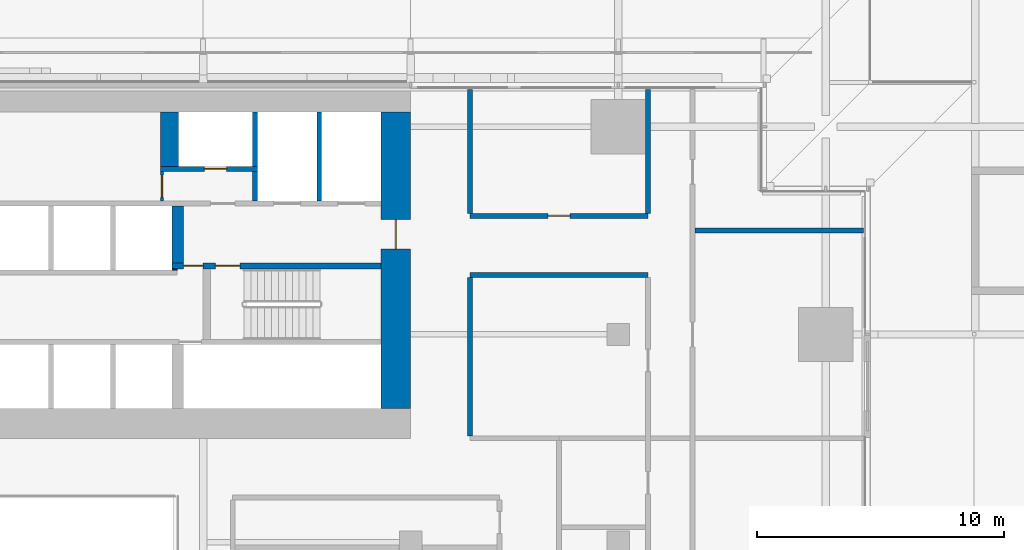
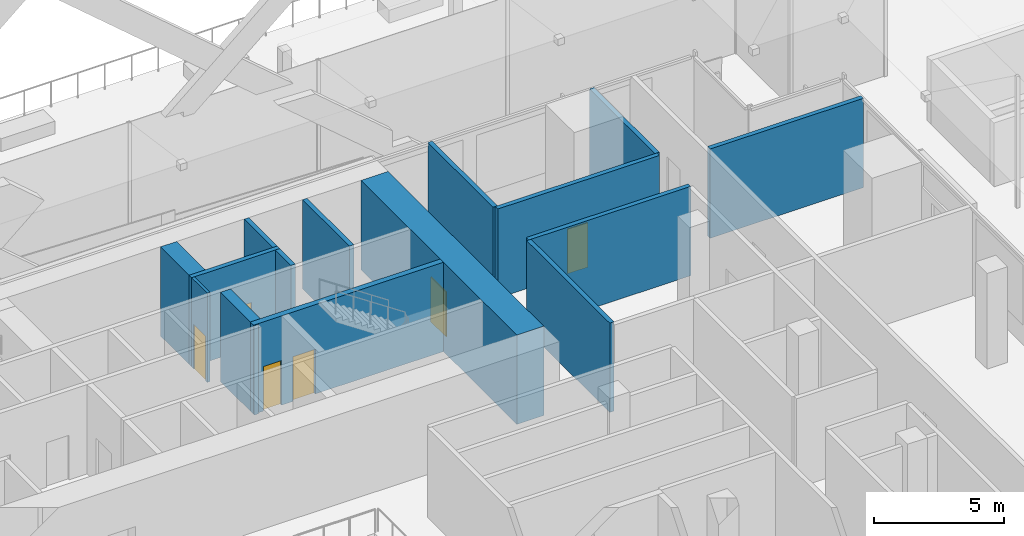
# One storey, part 28 of 60: 16 walls, 6 doors, 6 openings.
"""IFC4 building model written with IfcOpenShell, lengths in metres."""

from ifc_helpers import new_model, si_unit, direction, frame, frame_2d, origin, place, context, subcontext, project, spatial, rectangle, extrude, material, layer, layer_set, type_object, element, fill, save


model = new_model("IFC4")

# Units and contexts
model_context = context("Model", 3, precision=1e-05, world=origin(), true_north=direction((0.0, 1.0)))
body_context = subcontext(model_context, "Body", "Model", "MODEL_VIEW")
ifc_project = project(units=[si_unit("LENGTHUNIT", "METRE"), si_unit("AREAUNIT", "SQUARE_METRE"), si_unit("VOLUMEUNIT", "CUBIC_METRE"), si_unit("PLANEANGLEUNIT", "RADIAN"), si_unit("MASSUNIT", "GRAM", prefix="KILO")], contexts=[model_context])

# Site, building, storey
site_placement = place(None, origin())
site = spatial("IfcSite", under=ifc_project, at=site_placement, CompositionType="ELEMENT")
building_placement = place(site_placement, origin())
building = spatial("IfcBuilding", under=site, at=building_placement, Name="Saffron Gate Tower", CompositionType="ELEMENT")
storey_placement = place(building_placement, frame((0.0, 0.0, 19.199951171875)))
storey = spatial("IfcBuildingStorey", under=building, at=storey_placement, Name="L03", CompositionType="ELEMENT", Elevation=19.199951171875)

# Wall, opening, door
ifc_material_1 = material(Name="Concrete C70", Category="concrete")
ifc_layer_1 = layer(ifc_material_1, 1.199951171875)
ifc_layer_set_1 = layer_set([ifc_layer_1], Name="CW1 RC core wall 1200 C70")
wall_type_1 = type_object("IfcWallType", Name="CW1 RC core wall 1200 C70", PredefinedType="SOLIDWALL", material=ifc_layer_set_1)
wall_1_placement = place(storey_placement, frame((108.0, 62.39990234375, 0.0), z_axis=(0.0, 0.0, 1.0), x_axis=(0.0, 1.0, 0.0)))
wall_1 = element("IfcWall", 1, at=wall_1_placement, inside=storey, type_object=wall_type_1, Name="Wall CW1-L03-4", PredefinedType="SOLIDWALL", context=body_context, shape_type="SweptSolid", body=[
    extrude(rectangle(XDim=12.0, YDim=1.199951171875, at=frame_2d((6.0, 0.0))), origin(), (0.0, 0.0, 1.0), 4.199951171875),
])
opening_1_placement = place(wall_1_placement, frame((6.449951171875, 0.0, 0.0)))
opening_1 = element("IfcOpeningElement", 2, at=opening_1_placement, cuts=wall_1, Name="Opening CR-08", PredefinedType="OPENING", context=body_context, shape_type="SweptSolid", body=[
    extrude(rectangle(XDim=1.199951171875, YDim=2.10009765625, at=frame_2d((0.60009765625, 1.050048828125))), frame((0.0, 0.60986328125, 0.0), z_axis=(0.0, -1.0, 0.0), x_axis=(1.0, 0.0, 0.0)), (0.0, 0.0, 1.0), 1.219970703125),
])
ifc_material_2 = material(Name="Steel fire door set", Category="steel")
door_type_1 = type_object("IfcDoorType", Name="CD7 Core entrance door 1200x2100 EI 120", OperationType="NOTDEFINED", PredefinedType="DOOR", material=ifc_material_2)
door_1_placement = place(opening_1_placement, origin())
door_1 = element("IfcDoor", 3, at=door_1_placement, inside=storey, type_object=door_type_1, Name="DOOR CR-08", OperationType="SINGLE_SWING_RIGHT", OverallHeight=2.10009765625, OverallWidth=1.199951171875, PredefinedType="DOOR", context=body_context, shape_type="SweptSolid", body=[
    extrude(rectangle(XDim=1.199951171875, YDim=2.10009765625, at=frame_2d((0.60009765625, 1.050048828125))), frame((0.0, 0.02490234375, 0.0), z_axis=(0.0, -1.0, 0.0), x_axis=(1.0, 0.0, 0.0)), (0.0, 0.0, 1.0), 0.050048828125),
])
fill(opening_1, door_1)

# Wall
ifc_layer_2 = layer(ifc_material_1, 0.719970703125)
ifc_layer_set_2 = layer_set([ifc_layer_2], Name="CW11 RC core wall 720 C70")
wall_type_2 = type_object("IfcWallType", Name="CW11 RC core wall 720 C70", PredefinedType="SOLIDWALL", material=ifc_layer_set_2)
wall_2_placement = place(storey_placement, frame((98.840087890625, 72.199951171875, 0.0), z_axis=(0.0, 0.0, 1.0), x_axis=(0.0, 1.0, 0.0)))
element("IfcWall", 4, at=wall_2_placement, inside=storey, type_object=wall_type_2, Name="Wall CW11-L03-48", PredefinedType="SOLIDWALL", context=body_context, shape_type="SweptSolid", body=[
    extrude(rectangle(XDim=2.199951171875, YDim=0.719970703125, at=frame_2d((1.10009765625, 0.0))), origin(), (0.0, 0.0, 1.0), 4.199951171875),
])

# Wall, openings, doors
ifc_layer_3 = layer(ifc_material_1, 0.25)
ifc_layer_set_3 = layer_set([ifc_layer_3], Name="CW2 RC core wall 250 C70")
wall_type_3 = type_object("IfcWallType", Name="CW2 RC core wall 250 C70", PredefinedType="SOLIDWALL", material=ifc_layer_set_3)
wall_3_placement = place(storey_placement, frame((98.949951171875, 68.175048828125, 0.0), z_axis=(0.0, 0.0, 1.0), x_axis=(1.0, 0.0, 0.0)))
wall_3 = element("IfcWall", 5, at=wall_3_placement, inside=storey, type_object=wall_type_3, Name="Wall CW2-L03-31", PredefinedType="SOLIDWALL", context=body_context, shape_type="SweptSolid", body=[
    extrude(rectangle(XDim=8.449951171875, YDim=0.25, at=frame_2d((4.22509765625, 0.0))), origin(), (0.0, 0.0, 1.0), 4.199951171875),
])
opening_2_placement = place(wall_3_placement, frame((0.449951171875, 0.0, 0.0)))
opening_2 = element("IfcOpeningElement", 6, at=opening_2_placement, cuts=wall_3, Name="Opening CR-05", PredefinedType="OPENING", context=body_context, shape_type="SweptSolid", body=[
    extrude(rectangle(XDim=0.800048828125, YDim=2.10009765625, at=frame_2d((0.39990234375, 1.050048828125))), frame((0.0, 0.135009765625, 0.0), z_axis=(0.0, -1.0, 0.0), x_axis=(1.0, 0.0, 0.0)), (0.0, 0.0, 1.0), 0.27001953125),
])
opening_3_placement = place(wall_3_placement, frame((1.75, 0.0, 0.0)))
opening_3 = element("IfcOpeningElement", 7, at=opening_3_placement, cuts=wall_3, Name="Opening CR-16", PredefinedType="OPENING", context=body_context, shape_type="SweptSolid", body=[
    extrude(rectangle(XDim=1.0, YDim=2.10009765625, at=frame_2d((0.5, 1.050048828125))), frame((0.0, 0.135009765625, 0.0), z_axis=(0.0, -1.0, 0.0), x_axis=(1.0, 0.0, 0.0)), (0.0, 0.0, 1.0), 0.27001953125),
])
door_type_2 = type_object("IfcDoorType", Name="CD5 Stair door 1000x2100 EI 120", OperationType="NOTDEFINED", PredefinedType="DOOR", material=ifc_material_2)
door_2_placement = place(opening_3_placement, origin())
door_2 = element("IfcDoor", 8, at=door_2_placement, inside=storey, type_object=door_type_2, Name="DOOR CR-16", OperationType="SINGLE_SWING_RIGHT", OverallHeight=2.10009765625, OverallWidth=1.0, PredefinedType="DOOR", context=body_context, shape_type="SweptSolid", body=[
    extrude(rectangle(XDim=1.0, YDim=2.10009765625, at=frame_2d((0.5, 1.050048828125))), frame((0.0, 0.02490234375, 0.0), z_axis=(0.0, -1.0, 0.0), x_axis=(1.0, 0.0, 0.0)), (0.0, 0.0, 1.0), 0.050048828125),
])
fill(opening_3, door_2)
door_type_3 = type_object("IfcDoorType", Name="CD6 Lobby door 800x2100 EI 120", OperationType="NOTDEFINED", PredefinedType="DOOR", material=ifc_material_2)
door_3_placement = place(opening_2_placement, origin())
door_3 = element("IfcDoor", 9, at=door_3_placement, inside=storey, type_object=door_type_3, Name="DOOR CR-05", OperationType="SINGLE_SWING_LEFT", OverallHeight=2.10009765625, OverallWidth=0.800048828125, PredefinedType="DOOR", context=body_context, shape_type="SweptSolid", body=[
    extrude(rectangle(XDim=0.800048828125, YDim=2.10009765625, at=frame_2d((0.39990234375, 1.050048828125))), frame((0.0, 0.02490234375, 0.0), z_axis=(0.0, -1.0, 0.0), x_axis=(1.0, 0.0, 0.0)), (0.0, 0.0, 1.0), 0.050048828125),
])
fill(opening_2, door_3)

# Walls
ifc_layer_4 = layer(ifc_material_1, 0.199951171875)
ifc_layer_set_4 = layer_set([ifc_layer_4], Name="CW3 RC core wall 200 C70")
wall_type_4 = type_object("IfcWallType", Name="CW3 RC core wall 200 C70", PredefinedType="SOLIDWALL", material=ifc_layer_set_4)
wall_4_placement = place(storey_placement, frame((102.300048828125, 70.800048828125, 0.0), z_axis=(0.0, 0.0, 1.0), x_axis=(0.0, 1.0, 0.0)))
element("IfcWall", 10, at=wall_4_placement, inside=storey, type_object=wall_type_4, Name="Wall CW3-L03-41", PredefinedType="SOLIDWALL", context=body_context, shape_type="SweptSolid", body=[
    extrude(rectangle(XDim=1.199951171875, YDim=0.199951171875, at=frame_2d((0.60009765625, 0.0))), origin(), (0.0, 0.0, 1.0), 4.199951171875),
])
wall_5_placement = place(storey_placement, frame((104.89990234375, 70.800048828125, 0.0), z_axis=(0.0, 0.0, 1.0), x_axis=(0.0, 1.0, 0.0)))
element("IfcWall", 11, at=wall_5_placement, inside=storey, type_object=wall_type_4, Name="Wall CW3-L03-42", PredefinedType="SOLIDWALL", context=body_context, shape_type="SweptSolid", body=[
    extrude(rectangle(XDim=3.599853515625, YDim=0.199951171875, at=frame_2d((1.7998046875, 0.0))), origin(), (0.0, 0.0, 1.0), 4.199951171875),
])

# Wall, opening, door
wall_6_placement = place(storey_placement, frame((98.47998046875, 72.10009765625, 0.0), z_axis=(0.0, 0.0, 1.0), x_axis=(1.0, 0.0, 0.0)))
wall_6 = element("IfcWall", 12, at=wall_6_placement, inside=storey, type_object=wall_type_4, Name="Wall CW3-L03-44", PredefinedType="SOLIDWALL", context=body_context, shape_type="SweptSolid", body=[
    extrude(rectangle(XDim=3.919921875, YDim=0.199951171875, at=frame_2d((1.9599609375, 0.0))), origin(), (0.0, 0.0, 1.0), 4.199951171875),
])
opening_4_placement = place(wall_6_placement, frame((1.77001953125, 0.0, 0.0)))
opening_4 = element("IfcOpeningElement", 13, at=opening_4_placement, cuts=wall_6, Name="Opening CR-70", PredefinedType="OPENING", context=body_context, shape_type="SweptSolid", body=[
    extrude(rectangle(XDim=0.89990234375, YDim=2.10009765625, at=frame_2d((0.449951171875, 1.050048828125))), frame((0.0, 0.10986328125, 0.0), z_axis=(0.0, -1.0, 0.0), x_axis=(1.0, 0.0, 0.0)), (0.0, 0.0, 1.0), 0.219970703125),
])
door_type_4 = type_object("IfcDoorType", Name="CD2 Riser door 900x2100 EI 60", OperationType="NOTDEFINED", PredefinedType="DOOR", material=ifc_material_2)
door_4_placement = place(opening_4_placement, origin())
door_4 = element("IfcDoor", 14, at=door_4_placement, inside=storey, type_object=door_type_4, Name="DOOR CR-70", OperationType="SINGLE_SWING_LEFT", OverallHeight=2.10009765625, OverallWidth=0.89990234375, PredefinedType="DOOR", context=body_context, shape_type="SweptSolid", body=[
    extrude(rectangle(XDim=0.89990234375, YDim=2.10009765625, at=frame_2d((0.449951171875, 1.050048828125))), frame((0.0, 0.02490234375, 0.0), z_axis=(0.0, -1.0, 0.0), x_axis=(1.0, 0.0, 0.0)), (0.0, 0.0, 1.0), 0.050048828125),
])
fill(opening_4, door_4)

# Walls
wall_7_placement = place(storey_placement, frame((102.300048828125, 72.199951171875, 0.0), z_axis=(0.0, 0.0, 1.0), x_axis=(0.0, 1.0, 0.0)))
element("IfcWall", 15, at=wall_7_placement, inside=storey, type_object=wall_type_4, Name="Wall CW3-L03-49", PredefinedType="SOLIDWALL", context=body_context, shape_type="SweptSolid", body=[
    extrude(rectangle(XDim=2.199951171875, YDim=0.199951171875, at=frame_2d((1.10009765625, 0.0))), origin(), (0.0, 0.0, 1.0), 4.199951171875),
])
ifc_layer_5 = layer(ifc_material_1, 0.449951171875)
ifc_layer_set_5 = layer_set([ifc_layer_5], Name="CW4 RC core wall 450 C70")
wall_type_5 = type_object("IfcWallType", Name="CW4 RC core wall 450 C70", PredefinedType="SOLIDWALL", material=ifc_layer_set_5)
wall_8_placement = place(storey_placement, frame((99.175048828125, 68.300048828125, 0.0), z_axis=(0.0, 0.0, 1.0), x_axis=(0.0, 1.0, 0.0)))
element("IfcWall", 16, at=wall_8_placement, inside=storey, type_object=wall_type_5, Name="Wall CW4-L03-33", PredefinedType="SOLIDWALL", context=body_context, shape_type="SweptSolid", body=[
    extrude(rectangle(XDim=2.300048828125, YDim=0.449951171875, at=frame_2d((1.14990234375, 0.0))), origin(), (0.0, 0.0, 1.0), 4.199951171875),
])
ifc_layer_6 = layer(ifc_material_1, 0.050048828125)
ifc_layer_set_6 = layer_set([ifc_layer_6], Name="CW6 RC core wall 50 C70")
wall_type_6 = type_object("IfcWallType", Name="CW6 RC core wall 50 C70", PredefinedType="SOLIDWALL", material=ifc_layer_set_6)
wall_9_placement = place(storey_placement, frame((98.949951171875, 68.02490234375, 0.0), z_axis=(0.0, 0.0, 1.0), x_axis=(1.0, 0.0, 0.0)))
element("IfcWall", 17, at=wall_9_placement, inside=storey, type_object=wall_type_6, Name="Wall CW6-L03-29", PredefinedType="SOLIDWALL", context=body_context, shape_type="SweptSolid", body=[
    extrude(rectangle(XDim=0.199951171875, YDim=0.050048828125, at=frame_2d((0.10009765625, 0.0))), origin(), (0.0, 0.0, 1.0), 4.199951171875),
])

# Wall, opening, door
ifc_material_3 = material(Name="Gypsum board partition on steel studs", Category="steel")
ifc_layer_7 = layer(ifc_material_3, 0.1201171875)
ifc_layer_set_7 = layer_set([ifc_layer_7], Name="CW8 Core partition 120")
wall_type_7 = type_object("IfcWallType", Name="CW8 Core partition 120", PredefinedType="PARTITIONING", material=ifc_layer_set_7)
wall_10_placement = place(storey_placement, frame((98.5400390625, 70.800048828125, 0.0), z_axis=(0.0, 0.0, 1.0), x_axis=(0.0, 1.0, 0.0)))
wall_10 = element("IfcWall", 18, at=wall_10_placement, inside=storey, type_object=wall_type_7, Name="Wall CW8-L03-40", PredefinedType="PARTITIONING", context=body_context, shape_type="SweptSolid", body=[
    extrude(rectangle(XDim=1.199951171875, YDim=0.1201171875, at=frame_2d((0.60009765625, 0.0))), origin(), (0.0, 0.0, 1.0), 4.199951171875),
])
opening_5_placement = place(wall_10_placement, frame((0.14990234375, 0.0, 0.0)))
opening_5 = element("IfcOpeningElement", 19, at=opening_5_placement, cuts=wall_10, Name="Opening CR-54", PredefinedType="OPENING", context=body_context, shape_type="SweptSolid", body=[
    extrude(rectangle(XDim=0.89990234375, YDim=2.10009765625, at=frame_2d((0.449951171875, 1.050048828125))), frame((0.0, 0.070068359375, 0.0), z_axis=(0.0, -1.0, 0.0), x_axis=(1.0, 0.0, 0.0)), (0.0, 0.0, 1.0), 0.14013671875),
])
door_type_5 = type_object("IfcDoorType", Name="CD9 Room door 900x2100 EI 60", OperationType="NOTDEFINED", PredefinedType="DOOR", material=ifc_material_2)
door_5_placement = place(opening_5_placement, origin())
door_5 = element("IfcDoor", 20, at=door_5_placement, inside=storey, type_object=door_type_5, Name="DOOR CR-54", OperationType="SINGLE_SWING_LEFT", OverallHeight=2.10009765625, OverallWidth=0.89990234375, PredefinedType="DOOR", context=body_context, shape_type="SweptSolid", body=[
    extrude(rectangle(XDim=0.89990234375, YDim=2.10009765625, at=frame_2d((0.449951171875, 1.050048828125))), frame((0.0, 0.02490234375, 0.0), z_axis=(0.0, -1.0, 0.0), x_axis=(1.0, 0.0, 0.0)), (0.0, 0.0, 1.0), 0.050048828125),
])
fill(opening_5, door_5)

# Wall
ifc_material_4 = material(Name="Clay brick masonry, rendered", Category="masonry")
ifc_layer_8 = layer(ifc_material_4, 0.199951171875)
ifc_layer_set_8 = layer_set([ifc_layer_8], Name="PW3 Corridor wall 200")
wall_type_8 = type_object("IfcWallType", Name="PW3 Corridor wall 200", PredefinedType="PARTITIONING", material=ifc_layer_set_8)
wall_11_placement = place(storey_placement, frame((111.0, 67.800048828125, 0.0), z_axis=(0.0, 0.0, 1.0), x_axis=(1.0, 0.0, 0.0)))
element("IfcWall", 21, at=wall_11_placement, inside=storey, type_object=wall_type_8, Name="Wall S1-52", PredefinedType="PARTITIONING", context=body_context, shape_type="SweptSolid", body=[
    extrude(rectangle(XDim=7.199951171875, YDim=0.199951171875, at=frame_2d((3.60009765625, 0.0))), origin(), (0.0, 0.0, 1.0), 4.199951171875),
])

# Wall, opening, door
wall_12_placement = place(storey_placement, frame((111.0, 70.199951171875, 0.0), z_axis=(0.0, 0.0, 1.0), x_axis=(1.0, 0.0, 0.0)))
wall_12 = element("IfcWall", 22, at=wall_12_placement, inside=storey, type_object=wall_type_8, Name="Wall S1-56", PredefinedType="PARTITIONING", context=body_context, shape_type="SweptSolid", body=[
    extrude(rectangle(XDim=7.199951171875, YDim=0.199951171875, at=frame_2d((3.60009765625, 0.0))), origin(), (0.0, 0.0, 1.0), 4.199951171875),
])
opening_6_placement = place(wall_12_placement, frame((3.14990234375, 0.0, 0.0)))
opening_6 = element("IfcOpeningElement", 23, at=opening_6_placement, cuts=wall_12, Name="Opening S1-29", PredefinedType="OPENING", context=body_context, shape_type="SweptSolid", body=[
    extrude(rectangle(XDim=0.89990234375, YDim=2.10009765625, at=frame_2d((0.449951171875, 1.050048828125))), frame((0.0, 0.10986328125, 0.0), z_axis=(0.0, -1.0, 0.0), x_axis=(1.0, 0.0, 0.0)), (0.0, 0.0, 1.0), 0.219970703125),
])
ifc_material_5 = material(Name="Timber door set", Category="wood")
door_type_6 = type_object("IfcDoorType", Name="RD1 Room door 900x2100", OperationType="NOTDEFINED", PredefinedType="DOOR", material=ifc_material_5)
door_6_placement = place(opening_6_placement, origin())
door_6 = element("IfcDoor", 24, at=door_6_placement, inside=storey, type_object=door_type_6, Name="Door S1-29", OperationType="SINGLE_SWING_LEFT", OverallHeight=2.10009765625, OverallWidth=0.89990234375, PredefinedType="DOOR", context=body_context, shape_type="SweptSolid", body=[
    extrude(rectangle(XDim=0.89990234375, YDim=2.10009765625, at=frame_2d((0.449951171875, 1.050048828125))), frame((0.0, 0.02490234375, 0.0), z_axis=(0.0, -1.0, 0.0), x_axis=(1.0, 0.0, 0.0)), (0.0, 0.0, 1.0), 0.050048828125),
])
fill(opening_6, door_6)

# Walls
wall_13_placement = place(storey_placement, frame((111.0, 67.699951171875, 0.0), z_axis=(0.0, 0.0, 1.0), x_axis=(0.0, -1.0, 0.0)))
element("IfcWall", 25, at=wall_13_placement, inside=storey, type_object=wall_type_8, Name="Wall S1-93", PredefinedType="PARTITIONING", context=body_context, shape_type="SweptSolid", body=[
    extrude(rectangle(XDim=6.39990234375, YDim=0.199951171875, at=frame_2d((3.199951171875, 0.0))), origin(), (0.0, 0.0, 1.0), 4.199951171875),
])
for number, where, z_axis, x_axis, name in (
    (26, (111.0, 75.320068359375, 0.0), (0.0, 0.0, 1.0), (0.0, -1.0, 0.0), "Wall S1-94"),
    (27, (118.199951171875, 75.320068359375, 0.0), (0.0, 0.0, 1.0), (0.0, -1.0, 0.0), "Wall S1-103"),
):
    element("IfcWall", number, at=place(storey_placement, frame(where, z_axis=z_axis, x_axis=x_axis)), inside=storey, type_object=wall_type_8, Name=name, PredefinedType="PARTITIONING", context=body_context, shape_type="SweptSolid", body=[
        extrude(rectangle(XDim=5.02001953125, YDim=0.199951171875, at=frame_2d((2.510009765625, 0.0))), origin(), (0.0, 0.0, 1.0), 4.199951171875),
    ])
ifc_layer_9 = layer(ifc_material_4, 0.199951171875)
ifc_layer_set_9 = layer_set([ifc_layer_9], Name="PW5 Room wall 200")
wall_type_9 = type_object("IfcWallType", Name="PW5 Room wall 200", PredefinedType="PARTITIONING", material=ifc_layer_set_9)
wall_14_placement = place(storey_placement, frame((120.10009765625, 69.60009765625, 0.0), z_axis=(0.0, 0.0, 1.0), x_axis=(1.0, 0.0, 0.0)))
element("IfcWall", 28, at=wall_14_placement, inside=storey, type_object=wall_type_9, Name="Wall S1-54", PredefinedType="PARTITIONING", context=body_context, shape_type="SweptSolid", body=[
    extrude(rectangle(XDim=6.81982421875, YDim=0.199951171875, at=frame_2d((3.409912109375, 0.0))), origin(), (0.0, 0.0, 1.0), 4.199951171875),
])

save(model, "model.ifc")
